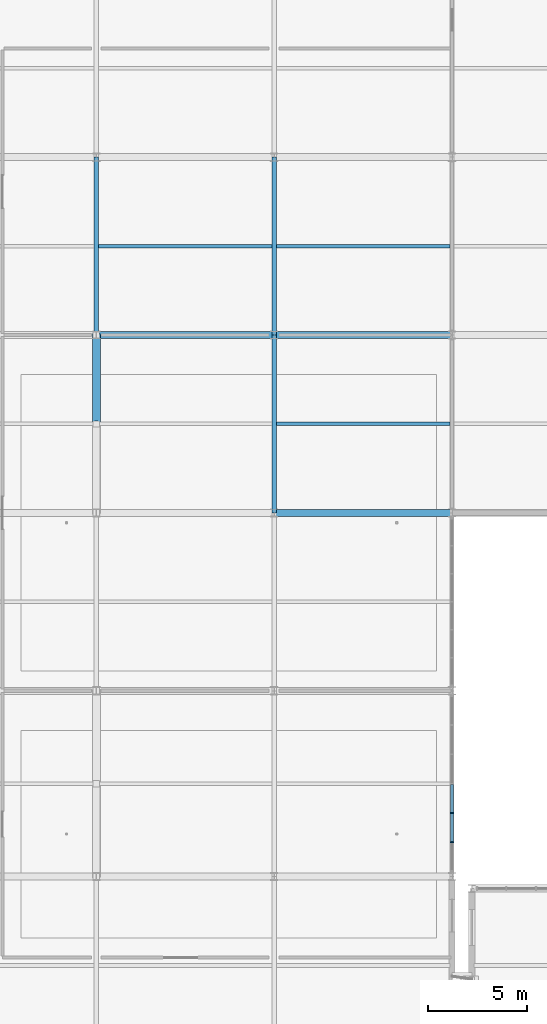
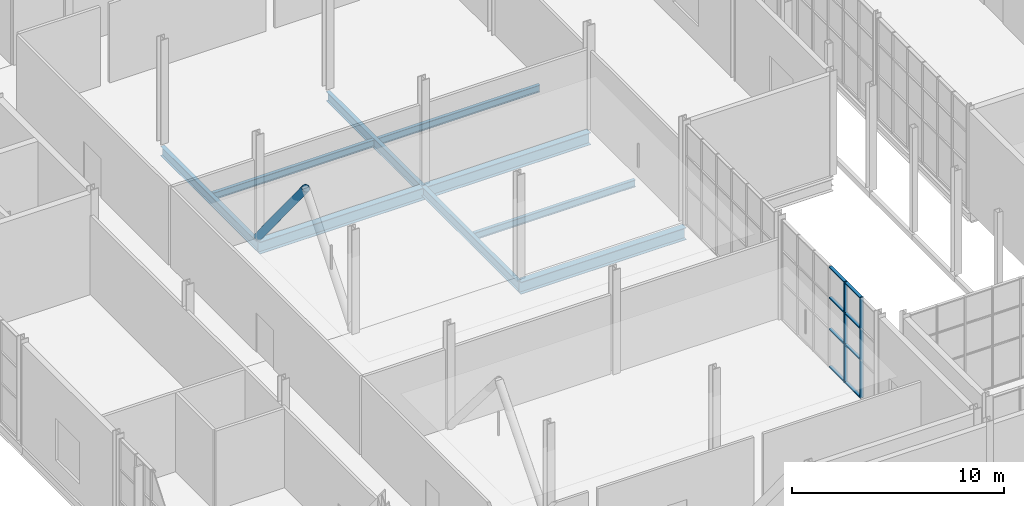
# One storey, part 50 of 159: 11 members, 9 beams, 1 element without a shape of its own.
"""IFC4 building model written with IfcOpenShell, lengths in metres."""

from ifc_helpers import new_model, si_unit, direction, frame, origin, origin_2d, place, context, subcontext, project, spatial, rectangle, hollow_circle, i_section, extrude, material, layer, layer_set, material_profile, profile_set, type_object, element, aggregate, save


model = new_model("IFC4")

# Units and contexts
model_context = context("Model", 3, precision=1e-05, world=origin(), true_north=direction((0.0, 1.0)))
body_context = subcontext(model_context, "Body", "Model", "MODEL_VIEW")
ifc_project = project(units=[si_unit("LENGTHUNIT", "METRE"), si_unit("AREAUNIT", "SQUARE_METRE"), si_unit("VOLUMEUNIT", "CUBIC_METRE"), si_unit("PLANEANGLEUNIT", "RADIAN"), si_unit("MASSUNIT", "GRAM", prefix="KILO")], contexts=[model_context])

# Site, building, storey
site_placement = place(None, origin())
site = spatial("IfcSite", under=ifc_project, at=site_placement, CompositionType="ELEMENT")
building_placement = place(site_placement, origin())
building = spatial("IfcBuilding", under=site, at=building_placement, Name="Cazmaro Siding Exhibition Halls", CompositionType="ELEMENT")
storey_placement = place(building_placement, frame((0.0, 0.0, 6.0)))
storey = spatial("IfcBuildingStorey", under=building, at=storey_placement, Name="L01", CompositionType="ELEMENT", Elevation=6.0)

# Beams
ifc_material_1 = material(Name="Steel ASTM A992 Grade 50", Category="steel")
ifc_material_profile_1 = material_profile(ifc_material_1, i_section(OverallWidth=0.214111328125, OverallDepth=0.549072265625, WebThickness=0.014892578125, FlangeThickness=0.02392578125, at=origin_2d()), Name="W21X93")
ifc_profile_set_1 = profile_set([ifc_material_profile_1], Name="Steel ASTM A992 Grade 50")
beam_type_1 = type_object("IfcBeamType", Name="B-01", PredefinedType="BEAM", material=ifc_profile_set_1)
for number, where, z_axis, x_axis, name in (
    (1, (18.0, 91.0, -0.493896484375), (0.0, 1.0, 0.0), (-1.0, 0.0, 0.0), "Beam B-01 BM-2014"),
    (2, (27.0, 82.0, -0.493896484375), (0.0, 1.0, 0.0), (-1.0, 0.0, 0.0), "Beam B-01 BM-2021"),
    (3, (27.0, 91.0, -0.493896484375), (0.0, 1.0, 0.0), (-1.0, 0.0, 0.0), "Beam B-01 BM-2022"),
):
    element("IfcBeam", number, at=place(storey_placement, frame(where, z_axis=z_axis, x_axis=x_axis)), inside=storey, type_object=beam_type_1, Name=name, PredefinedType="BEAM", context=body_context, shape_type="SweptSolid", body=[
        extrude(i_section(OverallWidth=0.214111328125, OverallDepth=0.549072265625, WebThickness=0.014892578125, FlangeThickness=0.02392578125, at=origin_2d()), origin(), (0.0, 0.0, 1.0), 9.0),
    ])

# Curtain wall, members
ifc_material_2 = material(Name="Anodized Bronze Aluminum and Solar-Control Low-E Glazing", Category="aluminium")
ifc_layer = layer(ifc_material_2, 0.179931640625)
ifc_layer_set = layer_set([ifc_layer], Name="Anodized Bronze Aluminum and Solar-Control Low-E Glazing")
curtain_wall_type = type_object("IfcCurtainWallType", Name="CWS-01", PredefinedType="USERDEFINED", material=ifc_layer_set)
curtain_wall_placement = place(storey_placement, origin())
curtain_wall = element("IfcCurtainWall", 4, at=curtain_wall_placement, inside=storey, type_object=curtain_wall_type, Name="Glazed Curtain Wall CWS-01 CW-231", ObjectType="GLAZED CURTAIN WALL", PredefinedType="USERDEFINED")
ifc_material_3 = material(Name="Anodized Bronze Extruded Aluminum", Category="aluminium")
ifc_material_profile_2 = material_profile(ifc_material_3, rectangle(XDim=0.179931640625, YDim=0.06005859375, at=origin_2d()), Name="CWM-01")
ifc_profile_set_2 = profile_set([ifc_material_profile_2], Name="Anodized Bronze Extruded Aluminum")
member_type_1 = type_object("IfcMemberType", Name="CWM-01", PredefinedType="MULLION", material=ifc_profile_set_2)
member_1_placement = place(storey_placement, frame((36.0, 65.33544921875, 0.0), z_axis=(0.0, 0.0, 1.0), x_axis=(-1.0, 0.0, 0.0)))
member_1 = element("IfcMember", 5, at=member_1_placement, type_object=member_type_1, Name="CWS-01 mullion 2", PredefinedType="MULLION", context=body_context, shape_type="SweptSolid", body=[
    extrude(rectangle(XDim=0.179931640625, YDim=0.06005859375, at=origin_2d()), origin(), (0.0, 0.0, 1.0), 5.780029296875),
])
member_2_placement = place(storey_placement, frame((36.0, 66.817626953125, 0.0), z_axis=(0.0, 0.0, 1.0), x_axis=(-1.0, 0.0, 0.0)))
member_2 = element("IfcMember", 6, at=member_2_placement, type_object=member_type_1, Name="CWS-01 mullion 3", PredefinedType="MULLION", context=body_context, shape_type="SweptSolid", body=[
    extrude(rectangle(XDim=0.179931640625, YDim=0.06005859375, at=origin_2d()), origin(), (0.0, 0.0, 1.0), 5.780029296875),
])
ifc_material_4 = material(Name="Anodized Bronze Extruded Aluminum", Category="aluminium")
ifc_material_profile_3 = material_profile(ifc_material_4, rectangle(XDim=0.159912109375, YDim=0.06005859375, at=origin_2d()), Name="CWT-01")
ifc_profile_set_3 = profile_set([ifc_material_profile_3], Name="Anodized Bronze Extruded Aluminum")
member_type_2 = type_object("IfcMemberType", Name="CWT-01", PredefinedType="MULLION", material=ifc_profile_set_3)
member_3_placement = place(storey_placement, frame((36.0, 65.365234375, 0.030029296875), z_axis=(0.0, 1.0, 0.0), x_axis=(-1.0, 0.0, 0.0)))
member_3 = element("IfcMember", 7, at=member_3_placement, type_object=member_type_2, Name="CWS-01 transom 2.1", ObjectType="TRANSOM", PredefinedType="USERDEFINED", context=body_context, shape_type="SweptSolid", body=[
    extrude(rectangle(XDim=0.159912109375, YDim=0.06005859375, at=origin_2d()), origin(), (0.0, 0.0, 1.0), 1.42236328125),
])
member_4_placement = place(storey_placement, frame((36.0, 65.365234375, 2.199951171875), z_axis=(0.0, 1.0, 0.0), x_axis=(-1.0, 0.0, 0.0)))
member_4 = element("IfcMember", 8, at=member_4_placement, type_object=member_type_2, Name="CWS-01 transom 2.2", ObjectType="TRANSOM", PredefinedType="USERDEFINED", context=body_context, shape_type="SweptSolid", body=[
    extrude(rectangle(XDim=0.159912109375, YDim=0.06005859375, at=origin_2d()), origin(), (0.0, 0.0, 1.0), 1.42236328125),
])
member_5_placement = place(storey_placement, frame((36.0, 65.365234375, 4.0), z_axis=(0.0, 1.0, 0.0), x_axis=(-1.0, 0.0, 0.0)))
member_5 = element("IfcMember", 9, at=member_5_placement, type_object=member_type_2, Name="CWS-01 transom 2.3", ObjectType="TRANSOM", PredefinedType="USERDEFINED", context=body_context, shape_type="SweptSolid", body=[
    extrude(rectangle(XDim=0.159912109375, YDim=0.06005859375, at=origin_2d()), origin(), (0.0, 0.0, 1.0), 1.42236328125),
])
member_6_placement = place(storey_placement, frame((36.0, 65.365234375, 5.75), z_axis=(0.0, 1.0, 0.0), x_axis=(-1.0, 0.0, 0.0)))
member_6 = element("IfcMember", 10, at=member_6_placement, type_object=member_type_2, Name="CWS-01 transom 2.4", ObjectType="TRANSOM", PredefinedType="USERDEFINED", context=body_context, shape_type="SweptSolid", body=[
    extrude(rectangle(XDim=0.159912109375, YDim=0.06005859375, at=origin_2d()), origin(), (0.0, 0.0, 1.0), 1.42236328125),
])
member_7_placement = place(storey_placement, frame((36.0, 66.84765625, 0.030029296875), z_axis=(0.0, 1.0, 0.0), x_axis=(-1.0, 0.0, 0.0)))
member_7 = element("IfcMember", 11, at=member_7_placement, type_object=member_type_2, Name="CWS-01 transom 3.1", ObjectType="TRANSOM", PredefinedType="USERDEFINED", context=body_context, shape_type="SweptSolid", body=[
    extrude(rectangle(XDim=0.159912109375, YDim=0.06005859375, at=origin_2d()), origin(), (0.0, 0.0, 1.0), 1.42236328125),
])
member_8_placement = place(storey_placement, frame((36.0, 66.84765625, 2.199951171875), z_axis=(0.0, 1.0, 0.0), x_axis=(-1.0, 0.0, 0.0)))
member_8 = element("IfcMember", 12, at=member_8_placement, type_object=member_type_2, Name="CWS-01 transom 3.2", ObjectType="TRANSOM", PredefinedType="USERDEFINED", context=body_context, shape_type="SweptSolid", body=[
    extrude(rectangle(XDim=0.159912109375, YDim=0.06005859375, at=origin_2d()), origin(), (0.0, 0.0, 1.0), 1.42236328125),
])
member_9_placement = place(storey_placement, frame((36.0, 66.84765625, 4.0), z_axis=(0.0, 1.0, 0.0), x_axis=(-1.0, 0.0, 0.0)))
member_9 = element("IfcMember", 13, at=member_9_placement, type_object=member_type_2, Name="CWS-01 transom 3.3", ObjectType="TRANSOM", PredefinedType="USERDEFINED", context=body_context, shape_type="SweptSolid", body=[
    extrude(rectangle(XDim=0.159912109375, YDim=0.06005859375, at=origin_2d()), origin(), (0.0, 0.0, 1.0), 1.42236328125),
])
member_10_placement = place(storey_placement, frame((36.0, 66.84765625, 5.75), z_axis=(0.0, 1.0, 0.0), x_axis=(-1.0, 0.0, 0.0)))
member_10 = element("IfcMember", 14, at=member_10_placement, type_object=member_type_2, Name="CWS-01 transom 3.4", ObjectType="TRANSOM", PredefinedType="USERDEFINED", context=body_context, shape_type="SweptSolid", body=[
    extrude(rectangle(XDim=0.159912109375, YDim=0.06005859375, at=origin_2d()), origin(), (0.0, 0.0, 1.0), 1.42236328125),
])
aggregate(curtain_wall, [member_1, member_2, member_3, member_4, member_5, member_6, member_7, member_8, member_9, member_10])

# Beams
ifc_material_5 = material(Name="Steel ASTM A992 Grade 50", Category="steel")
ifc_material_profile_4 = material_profile(ifc_material_5, i_section(OverallWidth=0.35595703125, OverallDepth=0.696044921875, WebThickness=0.014892578125, FlangeThickness=0.02490234375, at=origin_2d()), Name="W27X146")
ifc_profile_set_4 = profile_set([ifc_material_profile_4], Name="Steel ASTM A992 Grade 50")
beam_type_2 = type_object("IfcBeamType", Name="G-05", PredefinedType="USERDEFINED", material=ifc_profile_set_4)
for number, where, z_axis, x_axis, name in (
    (15, (18.0, 91.0, -0.568115234375), (1.0, 0.0, 0.0), (0.0, 1.0, 0.0), "Beam G-05 BM-1964"),
    (16, (27.0, 82.0, -0.568115234375), (1.0, 0.0, 0.0), (0.0, 1.0, 0.0), "Beam G-05 BM-1980"),
    (17, (27.0, 91.0, -0.568115234375), (1.0, 0.0, 0.0), (0.0, 1.0, 0.0), "Beam G-05 BM-1981"),
):
    element("IfcBeam", number, at=place(storey_placement, frame(where, z_axis=z_axis, x_axis=x_axis)), inside=storey, type_object=beam_type_2, Name=name, ObjectType="GIRDER", PredefinedType="USERDEFINED", context=body_context, shape_type="SweptSolid", body=[
        extrude(i_section(OverallWidth=0.35595703125, OverallDepth=0.696044921875, WebThickness=0.014892578125, FlangeThickness=0.02490234375, at=origin_2d()), origin(), (0.0, 0.0, 1.0), 9.0),
    ])
ifc_material_6 = material(Name="Steel ASTM A992 Grade 50", Category="steel")
ifc_material_profile_5 = material_profile(ifc_material_6, i_section(OverallWidth=0.177978515625, OverallDepth=0.406005859375, WebThickness=0.008056640625, FlangeThickness=0.012939453125, at=origin_2d()), Name="W16X40")
ifc_profile_set_5 = profile_set([ifc_material_profile_5], Name="Steel ASTM A992 Grade 50")
beam_type_3 = type_object("IfcBeamType", Name="J-02", PredefinedType="JOIST", material=ifc_profile_set_5)
for number, where, z_axis, x_axis, name in (
    (18, (18.10693359375, 95.5, -0.423095703125), (1.0, 0.0, 0.0), (0.0, 1.0, 0.0), "Beam J-02 BM-1973"),
    (19, (27.10693359375, 86.5, -0.423095703125), (1.0, 0.0, 0.0), (0.0, 1.0, 0.0), "Beam J-02 BM-1989"),
    (20, (27.10693359375, 95.5, -0.423095703125), (1.0, 0.0, 0.0), (0.0, 1.0, 0.0), "Beam J-02 BM-1990"),
):
    element("IfcBeam", number, at=place(storey_placement, frame(where, z_axis=z_axis, x_axis=x_axis)), inside=storey, type_object=beam_type_3, Name=name, PredefinedType="JOIST", context=body_context, shape_type="SweptSolid", body=[
        extrude(i_section(OverallWidth=0.177978515625, OverallDepth=0.406005859375, WebThickness=0.008056640625, FlangeThickness=0.012939453125, at=origin_2d()), origin(), (0.0, 0.0, 1.0), 8.7861328125),
    ])

# Member
ifc_material_7 = material(Name="Steel ASTM A500 Grade C", Category="steel")
ifc_material_profile_6 = material_profile(ifc_material_7, hollow_circle(Radius=0.202880859375, WallThickness=0.012939453125, at=origin_2d()), Name="PIPE16XS")
ifc_profile_set_6 = profile_set([ifc_material_profile_6], Name="Steel ASTM A500 Grade C")
member_type_3 = type_object("IfcMemberType", Name="WB-04", PredefinedType="BRACE", material=ifc_profile_set_6)
member_11_placement = place(storey_placement, frame((18.0, 91.0, 0.0), z_axis=(0.0, -0.632413466803, 0.774631013455), x_axis=(1.0, 0.0, 0.0)))
element("IfcMember", 21, at=member_11_placement, inside=storey, type_object=member_type_3, Name="BRBF lateral brace WB-04 MEM-3437", PredefinedType="BRACE", context=body_context, shape_type="SweptSolid", body=[
    extrude(hollow_circle(Radius=0.202880859375, WallThickness=0.012939453125, at=origin_2d()), origin(), (0.0, 0.0, 1.0), 7.115478515625),
])

save(model, "model.ifc")
